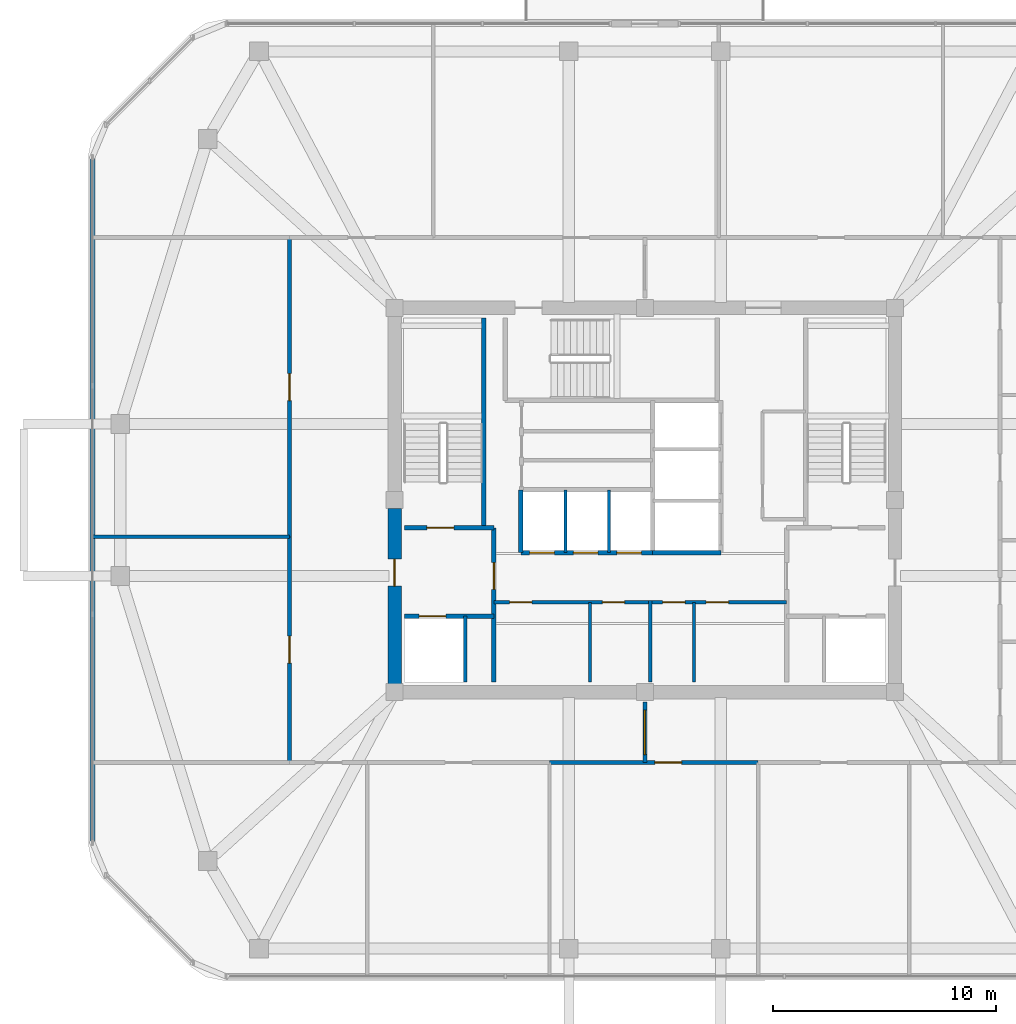
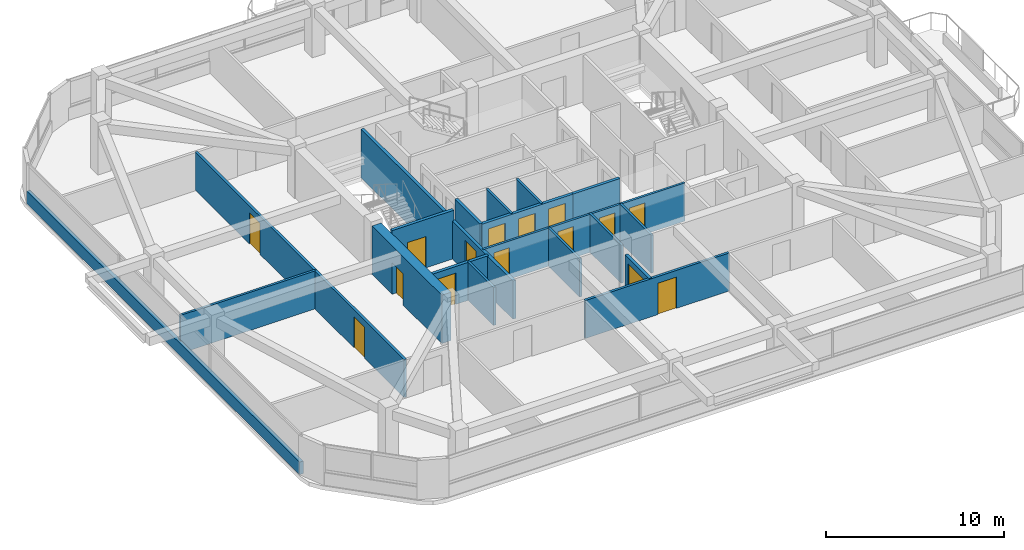
# One storey, part 9 of 14: 22 walls, 15 doors, 15 openings.
"""IFC4 building model written with IfcOpenShell, lengths in metres."""

from ifc_helpers import new_model, si_unit, derived_unit, direction, frame, frame_2d, origin, place, context, subcontext, project, spatial, rectangle, extrude, material, layer, layer_set, type_object, element, fill, save


model = new_model("IFC4")

# Units and contexts
model_context = context("Model", 3, precision=1e-05, world=origin(), true_north=direction((0.0, 1.0)))
body_context = subcontext(model_context, "Body", "Model", "MODEL_VIEW")
ifc_project = project(units=[si_unit("LENGTHUNIT", "METRE"), si_unit("AREAUNIT", "SQUARE_METRE"), si_unit("VOLUMEUNIT", "CUBIC_METRE"), si_unit("PLANEANGLEUNIT", "RADIAN"), si_unit("MASSUNIT", "GRAM", prefix="KILO"), derived_unit("THERMALTRANSMITTANCEUNIT", [(si_unit("POWERUNIT", "WATT"), 1), (si_unit("LENGTHUNIT", "METRE"), -2), (si_unit("THERMODYNAMICTEMPERATUREUNIT", "KELVIN"), -1)])], contexts=[model_context])

# Site, building, storey
site_placement = place(None, origin())
site = spatial("IfcSite", under=ifc_project, at=site_placement, CompositionType="ELEMENT")
building_placement = place(site_placement, origin())
building = spatial("IfcBuilding", under=site, at=building_placement, Name="Koralith Skygarden Medical Center", CompositionType="ELEMENT")
storey_placement = place(building_placement, frame((0.0, 0.0, 275.219970703125)))
storey = spatial("IfcBuildingStorey", under=building, at=storey_placement, Name="L71", CompositionType="ELEMENT", Elevation=275.219970703125)

# Wall, openings, doors
ifc_material_1 = material(Name="Gypsum Board Partition")
ifc_layer_1 = layer(ifc_material_1, 0.14990234375)
ifc_layer_set_1 = layer_set([ifc_layer_1], Name="Gypsum Board Partition")
wall_type_1 = type_object("IfcWallType", Name="Clinical Acoustic Partition 150", PredefinedType="PARTITIONING", material=ifc_layer_set_1)
wall_1_placement = place(storey_placement, frame((30.25, 21.320068359375, 0.0), z_axis=(0.0, 0.0, 1.0), x_axis=(1.0, 0.0, 0.0)))
wall_1 = element("IfcWall", 1, at=wall_1_placement, inside=storey, type_object=wall_type_1, Name="L71 Clinical Acoustic Partition 150 W-CORE-L71-FREED-LR-N", PredefinedType="PARTITIONING", context=body_context, shape_type="SweptSolid", body=[
    extrude(rectangle(XDim=7.0, YDim=0.14990234375, at=frame_2d((3.5, 0.0))), origin(), (0.0, 0.0, 1.0), 2.610107421875),
])
opening_1_placement = place(wall_1_placement, frame((0.699951171875, 0.0, 0.0)))
opening_1 = element("IfcOpeningElement", 2, at=opening_1_placement, cuts=wall_1, Name="Opening D-SUP", PredefinedType="OPENING", context=body_context, shape_type="SweptSolid", body=[
    extrude(rectangle(XDim=1.0, YDim=2.14990234375, at=frame_2d((0.5, 1.074951171875))), frame((0.0, 0.0849609375, 0.0), z_axis=(0.0, -1.0, 0.0), x_axis=(1.0, 0.0, 0.0)), (0.0, 0.0, 1.0), 0.169921875),
])
opening_2_placement = place(wall_1_placement, frame((4.85009765625, 0.0, 0.0)))
opening_2 = element("IfcOpeningElement", 3, at=opening_2_placement, cuts=wall_1, Name="Opening D-SUP", PredefinedType="OPENING", context=body_context, shape_type="SweptSolid", body=[
    extrude(rectangle(XDim=1.0, YDim=2.14990234375, at=frame_2d((0.5, 1.074951171875))), frame((0.0, 0.0849609375, 0.0), z_axis=(0.0, -1.0, 0.0), x_axis=(1.0, 0.0, 0.0)), (0.0, 0.0, 1.0), 0.169921875),
])
ifc_material_2 = material(Name="Aluminium 6063-T6", Category="aluminium")
door_type_1 = type_object("IfcDoorType", Name="Clinical Support Door D-SUP 1000", OperationType="NOTDEFINED", PredefinedType="DOOR", material=ifc_material_2)
door_1_placement = place(opening_1_placement, frame((1.0, 0.0, 0.0), z_axis=(0.0, 0.0, 1.0), x_axis=(-1.0, 0.0, 0.0)))
door_1 = element("IfcDoor", 4, at=door_1_placement, inside=storey, type_object=door_type_1, Name="L71 Medication Preparation Door", OperationType="SINGLE_SWING_LEFT", OverallHeight=2.14990234375, OverallWidth=1.0, PredefinedType="DOOR", context=body_context, shape_type="SweptSolid", body=[
    extrude(rectangle(XDim=1.0, YDim=2.14990234375, at=frame_2d((0.5, 1.074951171875))), frame((0.0, 0.02490234375, 0.0), z_axis=(0.0, -1.0, 0.0), x_axis=(1.0, 0.0, 0.0)), (0.0, 0.0, 1.0), 0.050048828125),
])
fill(opening_1, door_1)
door_2_placement = place(opening_2_placement, frame((1.0, 0.0, 0.0), z_axis=(0.0, 0.0, 1.0), x_axis=(-1.0, 0.0, 0.0)))
door_2 = element("IfcDoor", 5, at=door_2_placement, inside=storey, type_object=door_type_1, Name="L71 Telemetry Room Door", OperationType="SINGLE_SWING_RIGHT", OverallHeight=2.14990234375, OverallWidth=1.0, PredefinedType="DOOR", context=body_context, shape_type="SweptSolid", body=[
    extrude(rectangle(XDim=1.0, YDim=2.14990234375, at=frame_2d((0.5, 1.074951171875))), frame((0.0, 0.02490234375, 0.0), z_axis=(0.0, -1.0, 0.0), x_axis=(1.0, 0.0, 0.0)), (0.0, 0.0, 1.0), 0.050048828125),
])
fill(opening_2, door_2)

# Wall
wall_2_placement = place(storey_placement, frame((34.550048828125, 17.75, 0.0), z_axis=(0.0, 0.0, 1.0), x_axis=(0.0, 1.0, 0.0)))
element("IfcWall", 6, at=wall_2_placement, inside=storey, type_object=wall_type_1, Name="L71 Clinical Acoustic Partition 150 W-CORE-L71-FREED-LR-M", PredefinedType="PARTITIONING", context=body_context, shape_type="SweptSolid", body=[
    extrude(rectangle(XDim=3.570068359375, YDim=0.14990234375, at=frame_2d((1.78515625, 0.0))), origin(), (0.0, 0.0, 1.0), 2.610107421875),
])

# Wall, openings, doors
wall_3_placement = place(storey_placement, frame((37.25, 21.320068359375, 0.0), z_axis=(0.0, 0.0, 1.0), x_axis=(1.0, 0.0, 0.0)))
wall_3 = element("IfcWall", 7, at=wall_3_placement, inside=storey, type_object=wall_type_1, Name="L71 Clinical Acoustic Partition 150 W-CORE-L71-FREED-MR-N", PredefinedType="PARTITIONING", context=body_context, shape_type="SweptSolid", body=[
    extrude(rectangle(XDim=6.10009765625, YDim=0.14990234375, at=frame_2d((3.050048828125, 0.0))), origin(), (0.0, 0.0, 1.0), 2.610107421875),
])
opening_3_placement = place(wall_3_placement, frame((0.550048828125, 0.0, 0.0)))
opening_3 = element("IfcOpeningElement", 8, at=opening_3_placement, cuts=wall_3, Name="Opening D-SUP", PredefinedType="OPENING", context=body_context, shape_type="SweptSolid", body=[
    extrude(rectangle(XDim=1.0, YDim=2.14990234375, at=frame_2d((0.5, 1.074951171875))), frame((0.0, 0.0849609375, 0.0), z_axis=(0.0, -1.0, 0.0), x_axis=(1.0, 0.0, 0.0)), (0.0, 0.0, 1.0), 0.169921875),
])
opening_4_placement = place(wall_3_placement, frame((2.5, 0.0, 0.0)))
opening_4 = element("IfcOpeningElement", 9, at=opening_4_placement, cuts=wall_3, Name="Opening D-SUP", PredefinedType="OPENING", context=body_context, shape_type="SweptSolid", body=[
    extrude(rectangle(XDim=1.0, YDim=2.14990234375, at=frame_2d((0.5, 1.074951171875))), frame((0.0, 0.0849609375, 0.0), z_axis=(0.0, -1.0, 0.0), x_axis=(1.0, 0.0, 0.0)), (0.0, 0.0, 1.0), 0.169921875),
])
door_3_placement = place(opening_3_placement, frame((1.0, 0.0, 0.0), z_axis=(0.0, 0.0, 1.0), x_axis=(-1.0, 0.0, 0.0)))
door_3 = element("IfcDoor", 10, at=door_3_placement, inside=storey, type_object=door_type_1, Name="L71 Satellite Pharmacy Door", OperationType="SINGLE_SWING_LEFT", OverallHeight=2.14990234375, OverallWidth=1.0, PredefinedType="DOOR", context=body_context, shape_type="SweptSolid", body=[
    extrude(rectangle(XDim=1.0, YDim=2.14990234375, at=frame_2d((0.5, 1.074951171875))), frame((0.0, 0.02490234375, 0.0), z_axis=(0.0, -1.0, 0.0), x_axis=(1.0, 0.0, 0.0)), (0.0, 0.0, 1.0), 0.050048828125),
])
fill(opening_3, door_3)
door_4_placement = place(opening_4_placement, frame((1.0, 0.0, 0.0), z_axis=(0.0, 0.0, 1.0), x_axis=(-1.0, 0.0, 0.0)))
door_4 = element("IfcDoor", 11, at=door_4_placement, inside=storey, type_object=door_type_1, Name="L71 Biomedical Equipment Door", OperationType="SINGLE_SWING_RIGHT", OverallHeight=2.14990234375, OverallWidth=1.0, PredefinedType="DOOR", context=body_context, shape_type="SweptSolid", body=[
    extrude(rectangle(XDim=1.0, YDim=2.14990234375, at=frame_2d((0.5, 1.074951171875))), frame((0.0, 0.02490234375, 0.0), z_axis=(0.0, -1.0, 0.0), x_axis=(1.0, 0.0, 0.0)), (0.0, 0.0, 1.0), 0.050048828125),
])
fill(opening_4, door_4)

# Walls
wall_4_placement = place(storey_placement, frame((39.199951171875, 17.75, 0.0), z_axis=(0.0, 0.0, 1.0), x_axis=(0.0, 1.0, 0.0)))
element("IfcWall", 12, at=wall_4_placement, inside=storey, type_object=wall_type_1, Name="L71 Clinical Acoustic Partition 150 W-CORE-L71-FREED-MR-M", PredefinedType="PARTITIONING", context=body_context, shape_type="SweptSolid", body=[
    extrude(rectangle(XDim=3.570068359375, YDim=0.14990234375, at=frame_2d((1.78515625, 0.0))), origin(), (0.0, 0.0, 1.0), 2.610107421875),
])
wall_5_placement = place(storey_placement, frame((21.10009765625, 24.2548828125, 0.0), z_axis=(0.0, 0.0, 1.0), x_axis=(-1.0, 0.0, 0.0)))
element("IfcWall", 13, at=wall_5_placement, inside=storey, type_object=wall_type_1, Name="L71 Clinical Acoustic Partition 150 W-PART-L71-W-01", PredefinedType="PARTITIONING", context=body_context, shape_type="SweptSolid", body=[
    extrude(rectangle(XDim=8.800048828125, YDim=0.14990234375, at=frame_2d((4.39990234375, 0.0))), origin(), (0.0, 0.0, 1.0), 2.610107421875),
])

# Wall, opening, door
ifc_layer_2 = layer(ifc_material_1, 0.1650390625)
ifc_layer_set_2 = layer_set([ifc_layer_2], Name="Gypsum Board Partition")
wall_type_2 = type_object("IfcWallType", Name="Clinical Corridor Partition 165", PredefinedType="PARTITIONING", material=ifc_layer_set_2)
wall_6_placement = place(storey_placement, frame((32.738037109375, 14.14990234375, 0.0), z_axis=(0.0, 0.0, 1.0), x_axis=(1.0, 0.0, 0.0)))
wall_6 = element("IfcWall", 14, at=wall_6_placement, inside=storey, type_object=wall_type_2, Name="L71 Clinical Corridor Partition 165 W-CORR-L71-S-03", PredefinedType="PARTITIONING", context=body_context, shape_type="SweptSolid", body=[
    extrude(rectangle(XDim=9.3388671875, YDim=0.1650390625, at=frame_2d((4.66943359375, 0.0))), origin(), (0.0, 0.0, 1.0), 2.610107421875),
])
opening_5_placement = place(wall_6_placement, frame((4.712890625, 0.0, 0.0)))
opening_5 = element("IfcOpeningElement", 15, at=opening_5_placement, cuts=wall_6, Name="Opening D-CLN", PredefinedType="OPENING", context=body_context, shape_type="SweptSolid", body=[
    extrude(rectangle(XDim=1.199951171875, YDim=2.14990234375, at=frame_2d((0.60009765625, 1.074951171875))), frame((0.0, 0.092529296875, 0.0), z_axis=(0.0, -1.0, 0.0), x_axis=(1.0, 0.0, 0.0)), (0.0, 0.0, 1.0), 0.18505859375),
])
door_type_2 = type_object("IfcDoorType", Name="Clinical Corridor Door D-CLN 1200", OperationType="NOTDEFINED", PredefinedType="DOOR", material=ifc_material_2)
door_5_placement = place(opening_5_placement, frame((1.199951171875, 0.0, 0.0), z_axis=(0.0, 0.0, 1.0), x_axis=(-1.0, 0.0, 0.0)))
door_5 = element("IfcDoor", 16, at=door_5_placement, inside=storey, type_object=door_type_2, Name="L71 Hospital Quality Huddle Room 07 Door", OperationType="SINGLE_SWING_RIGHT", OverallHeight=2.14990234375, OverallWidth=1.199951171875, PredefinedType="DOOR", context=body_context, shape_type="SweptSolid", body=[
    extrude(rectangle(XDim=1.199951171875, YDim=2.14990234375, at=frame_2d((0.60009765625, 1.074951171875))), frame((0.0, 0.02490234375, 0.0), z_axis=(0.0, -1.0, 0.0), x_axis=(1.0, 0.0, 0.0)), (0.0, 0.0, 1.0), 0.050048828125),
])
fill(opening_5, door_5)

wall_7_placement = place(storey_placement, frame((21.10009765625, 14.14990234375, 0.0), z_axis=(0.0, 0.0, 1.0), x_axis=(0.0, 1.0, 0.0)))
wall_7 = element("IfcWall", 17, at=wall_7_placement, inside=storey, type_object=wall_type_2, Name="L71 Clinical Corridor Partition 165 W-CORR-L71-W-01", PredefinedType="PARTITIONING", context=body_context, shape_type="SweptSolid", body=[
    extrude(rectangle(XDim=10.10498046875, YDim=0.1650390625, at=frame_2d((5.052490234375, 0.0))), origin(), (0.0, 0.0, 1.0), 2.610107421875),
])
opening_6_placement = place(wall_7_placement, frame((4.451904296875, 0.0, 0.0)))
opening_6 = element("IfcOpeningElement", 18, at=opening_6_placement, cuts=wall_7, Name="Opening D-CLN", PredefinedType="OPENING", context=body_context, shape_type="SweptSolid", body=[
    extrude(rectangle(XDim=1.199951171875, YDim=2.14990234375, at=frame_2d((0.60009765625, 1.074951171875))), frame((0.0, 0.092529296875, 0.0), z_axis=(0.0, -1.0, 0.0), x_axis=(1.0, 0.0, 0.0)), (0.0, 0.0, 1.0), 0.18505859375),
])
door_6_placement = place(opening_6_placement, frame((1.199951171875, 0.0, 0.0), z_axis=(0.0, 0.0, 1.0), x_axis=(-1.0, 0.0, 0.0)))
door_6 = element("IfcDoor", 19, at=door_6_placement, inside=storey, type_object=door_type_2, Name="L71 Ethics Committee Conference Room 10 Door", OperationType="SINGLE_SWING_LEFT", OverallHeight=2.14990234375, OverallWidth=1.199951171875, PredefinedType="DOOR", context=body_context, shape_type="SweptSolid", body=[
    extrude(rectangle(XDim=1.199951171875, YDim=2.14990234375, at=frame_2d((0.60009765625, 1.074951171875))), frame((0.0, 0.02490234375, 0.0), z_axis=(0.0, -1.0, 0.0), x_axis=(1.0, 0.0, 0.0)), (0.0, 0.0, 1.0), 0.050048828125),
])
fill(opening_6, door_6)

wall_8_placement = place(storey_placement, frame((21.10009765625, 24.2548828125, 0.0), z_axis=(0.0, 0.0, 1.0), x_axis=(0.0, 1.0, 0.0)))
wall_8 = element("IfcWall", 20, at=wall_8_placement, inside=storey, type_object=wall_type_2, Name="L71 Clinical Corridor Partition 165 W-CORR-L71-W-02", PredefinedType="PARTITIONING", context=body_context, shape_type="SweptSolid", body=[
    extrude(rectangle(XDim=13.39501953125, YDim=0.1650390625, at=frame_2d((6.697509765625, 0.0))), origin(), (0.0, 0.0, 1.0), 2.610107421875),
])
opening_7_placement = place(wall_8_placement, frame((6.097900390625, 0.0, 0.0)))
opening_7 = element("IfcOpeningElement", 21, at=opening_7_placement, cuts=wall_8, Name="Opening D-CLN", PredefinedType="OPENING", context=body_context, shape_type="SweptSolid", body=[
    extrude(rectangle(XDim=1.199951171875, YDim=2.14990234375, at=frame_2d((0.60009765625, 1.074951171875))), frame((0.0, 0.092529296875, 0.0), z_axis=(0.0, -1.0, 0.0), x_axis=(1.0, 0.0, 0.0)), (0.0, 0.0, 1.0), 0.18505859375),
])
door_7_placement = place(opening_7_placement, frame((1.199951171875, 0.0, 0.0), z_axis=(0.0, 0.0, 1.0), x_axis=(-1.0, 0.0, 0.0)))
door_7 = element("IfcDoor", 22, at=door_7_placement, inside=storey, type_object=door_type_2, Name="L71 Hospital Quality Huddle Room 11 Door", OperationType="SINGLE_SWING_RIGHT", OverallHeight=2.14990234375, OverallWidth=1.199951171875, PredefinedType="DOOR", context=body_context, shape_type="SweptSolid", body=[
    extrude(rectangle(XDim=1.199951171875, YDim=2.14990234375, at=frame_2d((0.60009765625, 1.074951171875))), frame((0.0, 0.02490234375, 0.0), z_axis=(0.0, -1.0, 0.0), x_axis=(1.0, 0.0, 0.0)), (0.0, 0.0, 1.0), 0.050048828125),
])
fill(opening_7, door_7)

ifc_layer_3 = layer(ifc_material_1, 0.199951171875)
ifc_layer_set_3 = layer_set([ifc_layer_3], Name="Gypsum Board Partition")
wall_type_3 = type_object("IfcWallType", Name="Fire Shaft Wall 200", PredefinedType="SOLIDWALL", material=ifc_layer_set_3)
wall_9_placement = place(storey_placement, frame((26.25, 20.699951171875, 0.0), z_axis=(0.0, 0.0, 1.0), x_axis=(1.0, 0.0, 0.0)))
wall_9 = element("IfcWall", 23, at=wall_9_placement, inside=storey, type_object=wall_type_3, Name="L71 Fire Shaft Wall 200 W-CORE-L71-FF1-N", PredefinedType="SOLIDWALL", context=body_context, shape_type="SweptSolid", body=[
    extrude(rectangle(XDim=4.0, YDim=0.199951171875, at=frame_2d((2.0, 0.0))), origin(), (0.0, 0.0, 1.0), 2.610107421875),
])
opening_8_placement = place(wall_9_placement, frame((0.64990234375, 0.0, 0.0)))
opening_8 = element("IfcOpeningElement", 24, at=opening_8_placement, cuts=wall_9, Name="Opening LD-FF", PredefinedType="OPENING", context=body_context, shape_type="SweptSolid", body=[
    extrude(rectangle(XDim=1.199951171875, YDim=2.14990234375, at=frame_2d((0.60009765625, 1.074951171875))), frame((0.0, 0.10986328125, 0.0), z_axis=(0.0, -1.0, 0.0), x_axis=(1.0, 0.0, 0.0)), (0.0, 0.0, 1.0), 0.219970703125),
])
ifc_material_3 = material(Name="Steel ASTM A500 Grade C", Category="steel")
door_type_3 = type_object("IfcDoorType", Name="Fire Lift Sliding Landing Door LD-FF 1200", OperationType="NOTDEFINED", PredefinedType="DOOR", material=ifc_material_3)
door_8_placement = place(opening_8_placement, origin())
door_8 = element("IfcDoor", 25, at=door_8_placement, inside=storey, type_object=door_type_3, Name="L71 Fire Service Elevator FF1 Landing Door", OperationType="SLIDING_TO_LEFT", OverallHeight=2.14990234375, OverallWidth=1.199951171875, PredefinedType="DOOR", context=body_context, shape_type="SweptSolid", body=[
    extrude(rectangle(XDim=1.199951171875, YDim=2.14990234375, at=frame_2d((0.60009765625, 1.074951171875))), frame((0.0, 0.02490234375, 0.0), z_axis=(0.0, -1.0, 0.0), x_axis=(1.0, 0.0, 0.0)), (0.0, 0.0, 1.0), 0.050048828125),
])
fill(opening_8, door_8)

wall_10_placement = place(storey_placement, frame((30.25, 17.75, 0.0), z_axis=(0.0, 0.0, 1.0), x_axis=(0.0, 1.0, 0.0)))
wall_10 = element("IfcWall", 26, at=wall_10_placement, inside=storey, type_object=wall_type_3, Name="L71 Fire Shaft Wall 200 W-CORE-L71-FSAEW-E", PredefinedType="SOLIDWALL", context=body_context, shape_type="SweptSolid", body=[
    extrude(rectangle(XDim=6.89990234375, YDim=0.199951171875, at=frame_2d((3.449951171875, 0.0))), origin(), (0.0, 0.0, 1.0), 2.610107421875),
])
opening_9_placement = place(wall_10_placement, frame((4.14990234375, 0.0, 0.0)))
opening_9 = element("IfcOpeningElement", 27, at=opening_9_placement, cuts=wall_10, Name="Opening D-ST60", PredefinedType="OPENING", context=body_context, shape_type="SweptSolid", body=[
    extrude(rectangle(XDim=1.199951171875, YDim=2.14990234375, at=frame_2d((0.60009765625, 1.074951171875))), frame((0.0, 0.10986328125, 0.0), z_axis=(0.0, -1.0, 0.0), x_axis=(1.0, 0.0, 0.0)), (0.0, 0.0, 1.0), 0.219970703125),
])
door_type_4 = type_object("IfcDoorType", Name="Smokeproof Stair Fire Door FD60S 1200", OperationType="NOTDEFINED", PredefinedType="DOOR", material=ifc_material_3)
door_9_placement = place(opening_9_placement, origin())
door_9 = element("IfcDoor", 28, at=door_9_placement, inside=storey, type_object=door_type_4, Name="L71 West Firefighting Lobby Inner Fire Door", OperationType="SINGLE_SWING_LEFT", OverallHeight=2.14990234375, OverallWidth=1.199951171875, PredefinedType="DOOR", context=body_context, shape_type="SweptSolid", body=[
    extrude(rectangle(XDim=1.199951171875, YDim=2.14990234375, at=frame_2d((0.60009765625, 1.074951171875))), frame((0.0, 0.02490234375, 0.0), z_axis=(0.0, -1.0, 0.0), x_axis=(1.0, 0.0, 0.0)), (0.0, 0.0, 1.0), 0.050048828125),
])
fill(opening_9, door_9)

# Wall, openings, doors
wall_11_placement = place(storey_placement, frame((31.449951171875, 23.5400390625, 0.0), z_axis=(0.0, 0.0, 1.0), x_axis=(1.0, 0.0, 0.0)))
wall_11 = element("IfcWall", 29, at=wall_11_placement, inside=storey, type_object=wall_type_3, Name="L71 Fire Shaft Wall 200 W-CORE-L71-PH-S", PredefinedType="SOLIDWALL", context=body_context, shape_type="SweptSolid", body=[
    extrude(rectangle(XDim=5.900146484375, YDim=0.199951171875, at=frame_2d((2.9501953125, 0.0))), origin(), (0.0, 0.0, 1.0), 2.610107421875),
])
opening_10_placement = place(wall_11_placement, frame((0.39990234375, 0.0, 0.0)))
opening_10 = element("IfcOpeningElement", 30, at=opening_10_placement, cuts=wall_11, Name="Opening LD-P", PredefinedType="OPENING", context=body_context, shape_type="SweptSolid", body=[
    extrude(rectangle(XDim=1.10009765625, YDim=2.14990234375, at=frame_2d((0.550048828125, 1.074951171875))), frame((0.0, 0.10986328125, 0.0), z_axis=(0.0, -1.0, 0.0), x_axis=(1.0, 0.0, 0.0)), (0.0, 0.0, 1.0), 0.219970703125),
])
opening_11_placement = place(wall_11_placement, frame((2.35009765625, 0.0, 0.0)))
opening_11 = element("IfcOpeningElement", 31, at=opening_11_placement, cuts=wall_11, Name="Opening LD-P", PredefinedType="OPENING", context=body_context, shape_type="SweptSolid", body=[
    extrude(rectangle(XDim=1.10009765625, YDim=2.14990234375, at=frame_2d((0.550048828125, 1.074951171875))), frame((0.0, 0.10986328125, 0.0), z_axis=(0.0, -1.0, 0.0), x_axis=(1.0, 0.0, 0.0)), (0.0, 0.0, 1.0), 0.219970703125),
])
opening_12_placement = place(wall_11_placement, frame((4.300048828125, 0.0, 0.0)))
opening_12 = element("IfcOpeningElement", 32, at=opening_12_placement, cuts=wall_11, Name="Opening LD-P", PredefinedType="OPENING", context=body_context, shape_type="SweptSolid", body=[
    extrude(rectangle(XDim=1.10009765625, YDim=2.14990234375, at=frame_2d((0.550048828125, 1.074951171875))), frame((0.0, 0.10986328125, 0.0), z_axis=(0.0, -1.0, 0.0), x_axis=(1.0, 0.0, 0.0)), (0.0, 0.0, 1.0), 0.219970703125),
])
door_type_5 = type_object("IfcDoorType", Name="Passenger Lift Sliding Landing Door LD-P 1100", OperationType="NOTDEFINED", PredefinedType="DOOR", material=ifc_material_3)
door_10_placement = place(opening_10_placement, origin())
door_10 = element("IfcDoor", 33, at=door_10_placement, inside=storey, type_object=door_type_5, Name="L71 Passenger Elevator PH1 Landing Door", OperationType="SLIDING_TO_RIGHT", OverallHeight=2.14990234375, OverallWidth=1.10009765625, PredefinedType="DOOR", context=body_context, shape_type="SweptSolid", body=[
    extrude(rectangle(XDim=1.10009765625, YDim=2.14990234375, at=frame_2d((0.550048828125, 1.074951171875))), frame((0.0, 0.02490234375, 0.0), z_axis=(0.0, -1.0, 0.0), x_axis=(1.0, 0.0, 0.0)), (0.0, 0.0, 1.0), 0.050048828125),
])
fill(opening_10, door_10)
door_11_placement = place(opening_11_placement, origin())
door_11 = element("IfcDoor", 34, at=door_11_placement, inside=storey, type_object=door_type_5, Name="L71 Passenger Elevator PH2 Landing Door", OperationType="SLIDING_TO_RIGHT", OverallHeight=2.14990234375, OverallWidth=1.10009765625, PredefinedType="DOOR", context=body_context, shape_type="SweptSolid", body=[
    extrude(rectangle(XDim=1.10009765625, YDim=2.14990234375, at=frame_2d((0.550048828125, 1.074951171875))), frame((0.0, 0.02490234375, 0.0), z_axis=(0.0, -1.0, 0.0), x_axis=(1.0, 0.0, 0.0)), (0.0, 0.0, 1.0), 0.050048828125),
])
fill(opening_11, door_11)
door_12_placement = place(opening_12_placement, origin())
door_12 = element("IfcDoor", 35, at=door_12_placement, inside=storey, type_object=door_type_5, Name="L71 Passenger Elevator PH3 Landing Door", OperationType="SLIDING_TO_RIGHT", OverallHeight=2.14990234375, OverallWidth=1.10009765625, PredefinedType="DOOR", context=body_context, shape_type="SweptSolid", body=[
    extrude(rectangle(XDim=1.10009765625, YDim=2.14990234375, at=frame_2d((0.550048828125, 1.074951171875))), frame((0.0, 0.02490234375, 0.0), z_axis=(0.0, -1.0, 0.0), x_axis=(1.0, 0.0, 0.0)), (0.0, 0.0, 1.0), 0.050048828125),
])
fill(opening_12, door_12)

# Walls
wall_12_placement = place(storey_placement, frame((31.449951171875, 23.5400390625, 0.0), z_axis=(0.0, 0.0, 1.0), x_axis=(0.0, 1.0, 0.0)))
element("IfcWall", 36, at=wall_12_placement, inside=storey, type_object=wall_type_3, Name="L71 Fire Shaft Wall 200 W-CORE-L71-PH-W", PredefinedType="SOLIDWALL", context=body_context, shape_type="SweptSolid", body=[
    extrude(rectangle(XDim=2.81005859375, YDim=0.199951171875, at=frame_2d((1.405029296875, 0.0))), origin(), (0.0, 0.0, 1.0), 2.610107421875),
])
wall_13_placement = place(storey_placement, frame((37.35009765625, 23.5400390625, 0.0), z_axis=(0.0, 0.0, 1.0), x_axis=(1.0, 0.0, 0.0)))
element("IfcWall", 37, at=wall_13_placement, inside=storey, type_object=wall_type_3, Name="L71 Fire Shaft Wall 200 W-CORE-L71-SV-S", PredefinedType="SOLIDWALL", context=body_context, shape_type="SweptSolid", body=[
    extrude(rectangle(XDim=3.0498046875, YDim=0.199951171875, at=frame_2d((1.52490234375, 0.0))), origin(), (0.0, 0.0, 1.0), 2.610107421875),
])

# Wall, opening, door
ifc_layer_4 = layer(ifc_material_1, 0.179931640625)
ifc_layer_set_4 = layer_set([ifc_layer_4], Name="Gypsum Board Partition")
wall_type_4 = type_object("IfcWallType", Name="Group I-2 Smoke Barrier Wall 180", PredefinedType="PARTITIONING", material=ifc_layer_set_4)
wall_14_placement = place(storey_placement, frame((37.0, 14.14990234375, 0.0), z_axis=(0.0, 0.0, 1.0), x_axis=(0.0, 1.0, 0.0)))
wall_14 = element("IfcWall", 38, at=wall_14_placement, inside=storey, type_object=wall_type_4, Name="L71 Group I-2 Smoke Barrier Wall 180 W-SMK-L71-S", PredefinedType="PARTITIONING", context=body_context, shape_type="SweptSolid", body=[
    extrude(rectangle(XDim=2.7001953125, YDim=0.179931640625, at=frame_2d((1.35009765625, 0.0))), origin(), (0.0, 0.0, 1.0), 2.610107421875),
])
opening_13_placement = place(wall_14_placement, frame((0.35009765625, 0.0, 0.0)))
opening_13 = element("IfcOpeningElement", 39, at=opening_13_placement, cuts=wall_14, Name="Opening D-SMK", PredefinedType="OPENING", context=body_context, shape_type="SweptSolid", body=[
    extrude(rectangle(XDim=2.0, YDim=2.199951171875, at=frame_2d((1.0, 1.10009765625))), frame((0.0, 0.099853515625, 0.0), z_axis=(0.0, -1.0, 0.0), x_axis=(1.0, 0.0, 0.0)), (0.0, 0.0, 1.0), 0.199951171875),
])
door_type_6 = type_object("IfcDoorType", Name="Cross-Corridor Double Smoke Door FD60S 2000", OperationType="NOTDEFINED", PredefinedType="DOOR", material=ifc_material_3)
door_13_placement = place(opening_13_placement, frame((2.0, 0.0, 0.0), z_axis=(0.0, 0.0, 1.0), x_axis=(-1.0, 0.0, 0.0)))
door_13 = element("IfcDoor", 40, at=door_13_placement, inside=storey, type_object=door_type_6, Name="L71 S Smoke Compartment Cross-Corridor Door", OperationType="DOUBLE_DOOR_SINGLE_SWING", OverallHeight=2.199951171875, OverallWidth=2.0, PredefinedType="DOOR", context=body_context, shape_type="SweptSolid", body=[
    extrude(rectangle(XDim=2.0, YDim=2.199951171875, at=frame_2d((1.0, 1.10009765625))), frame((0.0, 0.02490234375, 0.0), z_axis=(0.0, -1.0, 0.0), x_axis=(1.0, 0.0, 0.0)), (0.0, 0.0, 1.0), 0.050048828125),
])
fill(opening_13, door_13)

# Walls
ifc_material_4 = material(Name="Warm Oolitic Limestone Cladding", Category="masonry")
ifc_layer_5 = layer(ifc_material_4, 0.239990234375)
ifc_layer_set_5 = layer_set([ifc_layer_5], Name="Warm Oolitic Limestone Cladding")
wall_type_5 = type_object("IfcWallType", Name="Limestone Spandrel Sill Backup Wall 240", PredefinedType="SOLIDWALL", material=ifc_layer_set_5)
wall_15_placement = place(storey_placement, frame((12.280029296875, 41.2451171875, 0.0), z_axis=(0.0, 0.0, 1.0), x_axis=(0.0, -1.0, 0.0)))
element("IfcWall", 41, at=wall_15_placement, inside=storey, type_object=wall_type_5, Name="L71 Sill Spandrel W", PredefinedType="SOLIDWALL", context=body_context, shape_type="SweptSolid", body=[
    extrude(rectangle(XDim=30.690185546875, YDim=0.239990234375, at=frame_2d((15.34521484375, 0.0))), origin(), (0.0, 0.0, 1.0), 0.85009765625),
])
ifc_layer_6 = layer(ifc_material_1, 0.14990234375)
ifc_layer_set_6 = layer_set([ifc_layer_6], Name="Gypsum Board Partition")
wall_type_6 = type_object("IfcWallType", Name="Shaft Partition Wall 150", PredefinedType="PARTITIONING", material=ifc_layer_set_6)
wall_16_placement = place(storey_placement, frame((28.969970703125, 17.75, 0.0), z_axis=(0.0, 0.0, 1.0), x_axis=(0.0, 1.0, 0.0)))
element("IfcWall", 42, at=wall_16_placement, inside=storey, type_object=wall_type_6, Name="L71 Shaft Partition Wall 150 W-CORE-L71-RSRW-DIV", PredefinedType="PARTITIONING", context=body_context, shape_type="SweptSolid", body=[
    extrude(rectangle(XDim=2.949951171875, YDim=0.14990234375, at=frame_2d((1.47509765625, 0.0))), origin(), (0.0, 0.0, 1.0), 2.610107421875),
])
wall_17_placement = place(storey_placement, frame((37.25, 17.75, 0.0), z_axis=(0.0, 0.0, 1.0), x_axis=(0.0, 1.0, 0.0)))
element("IfcWall", 43, at=wall_17_placement, inside=storey, type_object=wall_type_6, Name="L71 Shaft Partition Wall 150 W-CORE-L71-PL-PM-SEP", PredefinedType="PARTITIONING", context=body_context, shape_type="SweptSolid", body=[
    extrude(rectangle(XDim=3.64990234375, YDim=0.14990234375, at=frame_2d((1.824951171875, 0.0))), origin(), (0.0, 0.0, 1.0), 2.610107421875),
])
for number, where, z_axis, x_axis, name in (
    (44, (33.449951171875, 23.5400390625, 0.0), (0.0, 0.0, 1.0), (0.0, 1.0, 0.0), "L71 Shaft Partition Wall 150 W-CORE-L71-PH-D1"),
    (45, (35.39990234375, 23.5400390625, 0.0), (0.0, 0.0, 1.0), (0.0, 1.0, 0.0), "L71 Shaft Partition Wall 150 W-CORE-L71-PH-D2"),
):
    element("IfcWall", number, at=place(storey_placement, frame(where, z_axis=z_axis, x_axis=x_axis)), inside=storey, type_object=wall_type_6, Name=name, PredefinedType="PARTITIONING", context=body_context, shape_type="SweptSolid", body=[
        extrude(rectangle(XDim=2.81005859375, YDim=0.14990234375, at=frame_2d((1.405029296875, 0.0))), origin(), (0.0, 0.0, 1.0), 2.610107421875),
    ])
ifc_material_5 = material(Name="Concrete C45/55", Category="concrete")
ifc_layer_7 = layer(ifc_material_5, 0.199951171875)
ifc_layer_set_7 = layer_set([ifc_layer_7], Name="Concrete C45/55")
wall_type_7 = type_object("IfcWallType", Name="Structural Stair Shaft Wall 200", PredefinedType="SHEAR", material=ifc_layer_set_7)
wall_18_placement = place(storey_placement, frame((29.800048828125, 24.64990234375, 0.0), z_axis=(0.0, 0.0, 1.0), x_axis=(0.0, 1.0, 0.0)))
element("IfcWall", 46, at=wall_18_placement, inside=storey, type_object=wall_type_7, Name="L71 Structural Stair Shaft Wall 200 W-CORE-L71-ST1-E", PredefinedType="SHEAR", context=body_context, shape_type="SweptSolid", body=[
    extrude(rectangle(XDim=9.400146484375, YDim=0.199951171875, at=frame_2d((4.7001953125, 0.0))), origin(), (0.0, 0.0, 1.0), 3.320068359375),
])

# Wall, opening, door
wall_19_placement = place(storey_placement, frame((26.25, 24.64990234375, 0.0), z_axis=(0.0, 0.0, 1.0), x_axis=(1.0, 0.0, 0.0)))
wall_19 = element("IfcWall", 47, at=wall_19_placement, inside=storey, type_object=wall_type_7, Name="L71 Structural Stair Shaft Wall 200 W-CORE-L71-ST1-S", PredefinedType="SHEAR", context=body_context, shape_type="SweptSolid", body=[
    extrude(rectangle(XDim=4.0, YDim=0.199951171875, at=frame_2d((2.0, 0.0))), origin(), (0.0, 0.0, 1.0), 3.320068359375),
])
opening_14_placement = place(wall_19_placement, frame((1.0, 0.0, 0.0)))
opening_14 = element("IfcOpeningElement", 48, at=opening_14_placement, cuts=wall_19, Name="Opening D-ST60", PredefinedType="OPENING", context=body_context, shape_type="SweptSolid", body=[
    extrude(rectangle(XDim=1.199951171875, YDim=2.14990234375, at=frame_2d((0.60009765625, 1.074951171875))), frame((0.0, 0.10986328125, 0.0), z_axis=(0.0, -1.0, 0.0), x_axis=(1.0, 0.0, 0.0)), (0.0, 0.0, 1.0), 0.219970703125),
])
door_14_placement = place(opening_14_placement, origin())
door_14 = element("IfcDoor", 49, at=door_14_placement, inside=storey, type_object=door_type_4, Name="L71 Exit Stair ST1 Fire Door", OperationType="SINGLE_SWING_LEFT", OverallHeight=2.14990234375, OverallWidth=1.199951171875, PredefinedType="DOOR", context=body_context, shape_type="SweptSolid", body=[
    extrude(rectangle(XDim=1.199951171875, YDim=2.14990234375, at=frame_2d((0.60009765625, 1.074951171875))), frame((0.0, 0.02490234375, 0.0), z_axis=(0.0, -1.0, 0.0), x_axis=(1.0, 0.0, 0.0)), (0.0, 0.0, 1.0), 0.050048828125),
])
fill(opening_14, door_14)

ifc_material_6 = material(Name="Concrete C55/67", Category="concrete")
ifc_layer_8 = layer(ifc_material_6, 0.60009765625)
ifc_layer_set_8 = layer_set([ifc_layer_8], Name="Concrete C55/67")
wall_type_8 = type_object("IfcWallType", Name="Upper Core Shear Wall 600", PredefinedType="SHEAR", material=ifc_layer_set_8)
wall_20_placement = place(storey_placement, frame((25.800048828125, 25.52490234375, 0.0), z_axis=(0.0, 0.0, 1.0), x_axis=(0.0, -1.0, 0.0)))
wall_20 = element("IfcWall", 50, at=wall_20_placement, inside=storey, type_object=wall_type_8, Name="L71 Core Shear Wall Segment 8", PredefinedType="SHEAR", context=body_context, shape_type="SweptSolid", body=[
    extrude(rectangle(XDim=7.849853515625, YDim=0.60009765625, at=frame_2d((3.9248046875, 0.0))), origin(), (0.0, 0.0, 1.0), 3.320068359375),
])
opening_15_placement = place(wall_20_placement, frame((2.27490234375, 0.0, 0.0)))
opening_15 = element("IfcOpeningElement", 51, at=opening_15_placement, cuts=wall_20, Name="Opening D-ST60", PredefinedType="OPENING", context=body_context, shape_type="SweptSolid", body=[
    extrude(rectangle(XDim=1.199951171875, YDim=2.14990234375, at=frame_2d((0.60009765625, 1.074951171875))), frame((0.0, 0.31005859375, 0.0), z_axis=(0.0, -1.0, 0.0), x_axis=(1.0, 0.0, 0.0)), (0.0, 0.0, 1.0), 0.6201171875),
])
door_15_placement = place(opening_15_placement, frame((1.199951171875, 0.0, 0.0), z_axis=(0.0, 0.0, 1.0), x_axis=(-1.0, 0.0, 0.0)))
door_15 = element("IfcDoor", 52, at=door_15_placement, inside=storey, type_object=door_type_4, Name="L71 West Corridor to Firefighting Lobby Door", OperationType="SINGLE_SWING_LEFT", OverallHeight=2.14990234375, OverallWidth=1.199951171875, PredefinedType="DOOR", context=body_context, shape_type="SweptSolid", body=[
    extrude(rectangle(XDim=1.199951171875, YDim=2.14990234375, at=frame_2d((0.60009765625, 1.074951171875))), frame((0.0, 0.02490234375, 0.0), z_axis=(0.0, -1.0, 0.0), x_axis=(1.0, 0.0, 0.0)), (0.0, 0.0, 1.0), 0.050048828125),
])
fill(opening_15, door_15)

save(model, "model.ifc")
